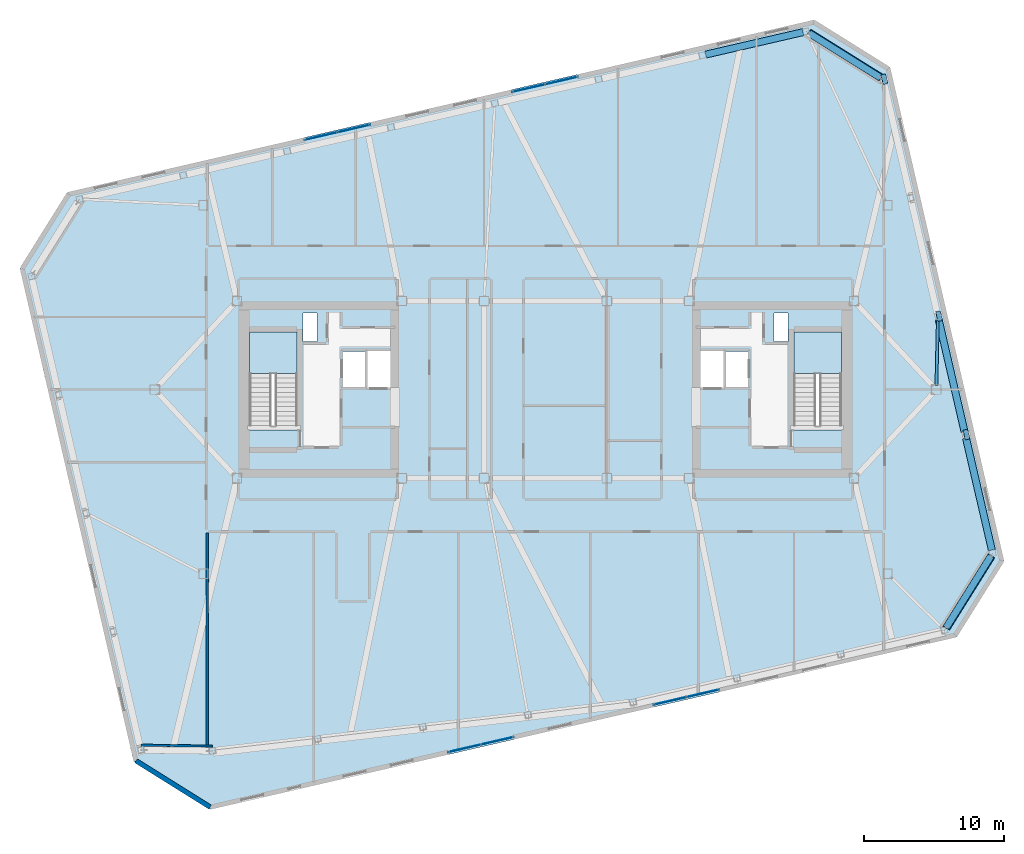
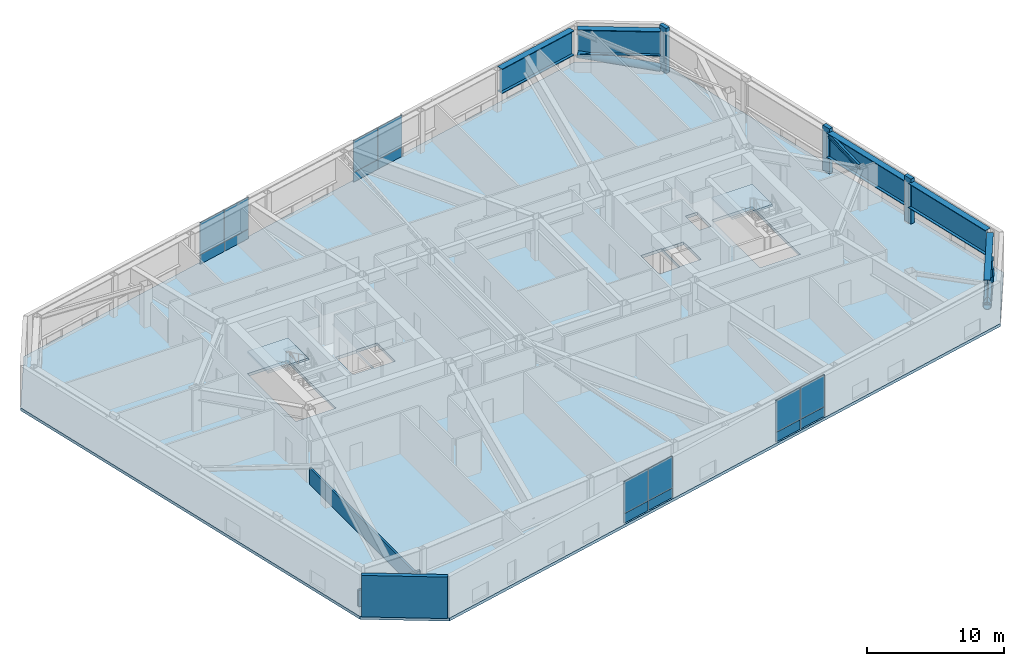
# One storey, part 15 of 23: 16 plates, 6 beams, 5 members, 3 slabs, 3 walls, 6 elements without a shape of their own.
"""IFC4 building model written with IfcOpenShell, lengths in metres."""

from ifc_helpers import new_model, si_unit, direction, frame, frame_2d, origin, origin_2d, place, context, subcontext, project, spatial, polyline, rectangle, hollow_circle, i_section, outline, extrude, material, layer, layer_set, material_profile, profile_set, type_object, element, aggregate, save


model = new_model("IFC4")

# Units and contexts
model_context = context("Model", 3, precision=1e-05, world=origin(), true_north=direction((0.0, 1.0)))
body_context = subcontext(model_context, "Body", "Model", "MODEL_VIEW")
ifc_project = project(units=[si_unit("LENGTHUNIT", "METRE"), si_unit("AREAUNIT", "SQUARE_METRE"), si_unit("VOLUMEUNIT", "CUBIC_METRE"), si_unit("PLANEANGLEUNIT", "RADIAN"), si_unit("MASSUNIT", "GRAM", prefix="KILO")], contexts=[model_context])

# Site, building, storey
site_placement = place(None, origin())
site = spatial("IfcSite", under=ifc_project, at=site_placement, CompositionType="ELEMENT")
building_placement = place(site_placement, origin())
building = spatial("IfcBuilding", under=site, at=building_placement, Name="Tavrogorsk Clinical Tower", CompositionType="ELEMENT")
storey_placement = place(building_placement, frame((0.0, 0.0, 329.0)))
storey = spatial("IfcBuildingStorey", under=building, at=storey_placement, Name="L77", CompositionType="ELEMENT", Elevation=329.0)

# Members
ifc_material_1 = material(Name="Structural steel S440", Category="steel")
ifc_material_profile_1 = material_profile(ifc_material_1, hollow_circle(Radius=0.304931640625, WallThickness=0.02490234375, at=origin_2d()), Name="CHS-610x25")
ifc_profile_set_1 = profile_set([ifc_material_profile_1], Name="Structural steel S440")
member_type_1 = type_object("IfcMemberType", Name="ExoBrace_CHS610", PredefinedType="BRACE", material=ifc_profile_set_1)
for number, where, z_axis, x_axis, name in (
    (1, (31.914306640625, -11.9228515625, 0.33984375), (-0.522114674455, -0.835526698637, 0.17114731252), (0.848039134155, -0.529933606164, 0.0), "L77 Corner Exoskeleton Brace S8-E1"),
    (2, (24.00390625, 22.340576171875, 0.33984375), (-0.835526698637, 0.522114674455, 0.17114731252), (-0.529933606164, -0.848039134155, 0.0), "L77 Corner Exoskeleton Brace E5-N1"),
):
    element("IfcMember", number, at=place(storey_placement, frame(where, z_axis=z_axis, x_axis=x_axis)), inside=storey, type_object=member_type_1, Name=name, PredefinedType="BRACE", context=body_context, shape_type="SweptSolid", body=[
        extrude(hollow_circle(Radius=0.304931640625, WallThickness=0.02490234375, at=origin_2d()), origin(), (0.0, 0.0, 1.0), 6.13671875),
    ])

# Beam
ifc_material_2 = material(Name="Structural steel S355", Category="steel")
ifc_material_profile_2 = material_profile(ifc_material_2, i_section(OverallWidth=0.199951171875, OverallDepth=0.39990234375, WebThickness=0.010498046875, FlangeThickness=0.01611328125, at=origin_2d()), Name="B-400x200x10.5x16")
ifc_profile_set_2 = profile_set([ifc_material_profile_2], Name="Structural steel S355")
beam_type_1 = type_object("IfcBeamType", Name="FloorBeam_B400", PredefinedType="BEAM", material=ifc_profile_set_2)
beam_1_placement = place(storey_placement, frame((28.0068359375, 0.309814453125, 3.47998046875), z_axis=(0.022370062613, 0.999749758839, 0.0), x_axis=(-0.999749758839, 0.022370062613, 0.0)))
element("IfcBeam", 3, at=beam_1_placement, inside=storey, type_object=beam_type_1, Name="L77 Radial Floor Beam E3", PredefinedType="BEAM", context=body_context, shape_type="SweptSolid", body=[
    extrude(i_section(OverallWidth=0.199951171875, OverallDepth=0.39990234375, WebThickness=0.010498046875, FlangeThickness=0.01611328125, at=origin_2d()), origin(), (0.0, 0.0, 1.0), 4.703857421875),
])

# Members
ifc_material_3 = material(Name="Precast concrete B45 with limestone cladding", Category="masonry")
ifc_material_profile_3 = material_profile(ifc_material_3, rectangle(XDim=0.320068359375, YDim=0.719970703125, at=origin_2d()), Name="LIMESTONE-FIN-320x720")
ifc_profile_set_3 = profile_set([ifc_material_profile_3], Name="Precast concrete B45 with limestone cladding")
member_type_2 = type_object("IfcMemberType", Name="LimestonePleatFin_320x720", PredefinedType="USERDEFINED", material=ifc_profile_set_3)
for number, where, z_axis, x_axis, name in (
    (4, (30.154541015625, -3.223388671875, 0.0), (0.0, 0.0, 1.0), (0.974370064785, 0.224951054344, 0.0), "L77 E Pleated Stone Fin 1"),
    (5, (28.1953125, 5.263427734375, 0.0), (0.0, 0.0, 1.0), (0.974370064785, 0.224951054344, 0.0), "L77 E Pleated Stone Fin 2"),
    (6, (24.276611328125, 22.237060546875, 0.0), (0.0, 0.0, 1.0), (0.974370064785, 0.224951054344, 0.0), "L77 E Pleated Stone Fin 4"),
):
    element("IfcMember", number, at=place(storey_placement, frame(where, z_axis=z_axis, x_axis=x_axis)), inside=storey, type_object=member_type_2, Name=name, ObjectType="FIN", PredefinedType="USERDEFINED", context=body_context, shape_type="SweptSolid", body=[
        extrude(rectangle(XDim=0.320068359375, YDim=0.719970703125, at=origin_2d()), origin(), (0.0, 0.0, 1.0), 4.0),
    ])

# Beams
ifc_material_4 = material(Name="Structural steel S440", Category="steel")
ifc_material_profile_4 = material_profile(ifc_material_4, i_section(OverallWidth=0.5, OverallDepth=2.199951171875, WebThickness=0.035888671875, FlangeThickness=0.054931640625, at=origin_2d()), Name="DK-2200x500x36x55")
ifc_profile_set_4 = profile_set([ifc_material_profile_4], Name="Structural steel S440")
beam_type_2 = type_object("IfcBeamType", Name="TransferGirder_DK2200", PredefinedType="USERDEFINED", material=ifc_profile_set_4)
beam_2_placement = place(storey_placement, frame((28.712158203125, -17.04736328125, 2.580078125), z_axis=(0.529904457892, 0.848057348006, 0.0), x_axis=(-0.848057348006, 0.529904457892, 0.0)))
element("IfcBeam", 7, at=beam_2_placement, inside=storey, type_object=beam_type_2, Name="L77 Perimeter Spandrel S8-E1", ObjectType="GIRDER", PredefinedType="USERDEFINED", context=body_context, shape_type="SweptSolid", body=[
    extrude(i_section(OverallWidth=0.5, OverallDepth=2.199951171875, WebThickness=0.035888671875, FlangeThickness=0.054931640625, at=origin_2d()), origin(), (0.0, 0.0, 1.0), 6.039306640625),
])
for number, where, z_axis, x_axis, name in (
    (8, (31.9833984375, -11.5009765625, 2.580078125), (-0.224950345141, 0.974370228517, 0.0), (-0.974370228517, -0.224950345141, 0.0), "L77 Perimeter Spandrel E1-E2"),
    (9, (30.024169921875, -3.01416015625, 2.580078125), (-0.224950345141, 0.974370228517, 0.0), (-0.974370228517, -0.224950345141, 0.0), "L77 Perimeter Spandrel E2-E3"),
):
    element("IfcBeam", number, at=place(storey_placement, frame(where, z_axis=z_axis, x_axis=x_axis)), inside=storey, type_object=beam_type_2, Name=name, ObjectType="GIRDER", PredefinedType="USERDEFINED", context=body_context, shape_type="SweptSolid", body=[
        extrude(i_section(OverallWidth=0.5, OverallDepth=2.199951171875, WebThickness=0.035888671875, FlangeThickness=0.054931640625, at=origin_2d()), origin(), (0.0, 0.0, 1.0), 8.243896484375),
    ])
beam_3_placement = place(storey_placement, frame((24.0009765625, 22.342529296875, 2.580078125), z_axis=(-0.848057348006, 0.529904457892, 0.0), x_axis=(-0.529904457892, -0.848057348006, 0.0)))
element("IfcBeam", 10, at=beam_3_placement, inside=storey, type_object=beam_type_2, Name="L77 Perimeter Spandrel E5-N1", ObjectType="GIRDER", PredefinedType="USERDEFINED", context=body_context, shape_type="SweptSolid", body=[
    extrude(i_section(OverallWidth=0.5, OverallDepth=2.199951171875, WebThickness=0.035888671875, FlangeThickness=0.054931640625, at=origin_2d()), origin(), (0.0, 0.0, 1.0), 6.039306640625),
])
beam_4_placement = place(storey_placement, frame((18.45458984375, 25.61376953125, 2.580078125), z_axis=(-0.974375120167, -0.224929155956, 0.0), x_axis=(0.224929155956, -0.974375120167, 0.0)))
element("IfcBeam", 11, at=beam_4_placement, inside=storey, type_object=beam_type_2, Name="L77 Perimeter Spandrel N1-N2", ObjectType="GIRDER", PredefinedType="USERDEFINED", context=body_context, shape_type="SweptSolid", body=[
    extrude(i_section(OverallWidth=0.5, OverallDepth=2.199951171875, WebThickness=0.035888671875, FlangeThickness=0.054931640625, at=origin_2d()), origin(), (0.0, 0.0, 1.0), 7.16796875),
])

# Curtain wall, plates
ifc_material_5 = material(Name="Anodised aluminium and triple IGU glazing", Category="aluminium")
ifc_layer_1 = layer(ifc_material_5, 0.179931640625)
ifc_layer_set_1 = layer_set([ifc_layer_1], Name="Anodised aluminium and triple IGU glazing")
curtain_wall_type_1 = type_object("IfcCurtainWallType", Name="CW3_SouthSlot", PredefinedType="NOTDEFINED", material=ifc_layer_set_1)
curtain_wall_1_placement = place(storey_placement, origin())
curtain_wall_1 = element("IfcCurtainWall", 12, at=curtain_wall_1_placement, inside=storey, type_object=curtain_wall_type_1, Name="L77 Curtain Wall CW-L77-S-SLOT-1", PredefinedType="NOTDEFINED")
ifc_material_6 = material(Name="Honed Podolsk limestone spandrel panel", Category="masonry")
ifc_layer_2 = layer(ifc_material_6, 0.080078125)
ifc_layer_set_2 = layer_set([ifc_layer_2], Name="Honed Podolsk limestone spandrel panel")
plate_type_1 = type_object("IfcPlateType", Name="CwSpandrelStonePanel_80", PredefinedType="CURTAIN_PANEL", material=ifc_layer_set_2)
plate_1_placement = place(storey_placement, frame((-5.810546875, -25.7099609375, 0.001953125), z_axis=(0.0, 0.0, 1.0), x_axis=(0.974370057377, 0.224951086434, 0.0)))
plate_1 = element("IfcPlate", 13, at=plate_1_placement, type_object=plate_type_1, Name="CW-L77-S-SLOT-1 Stone Spandrel Panel 1", PredefinedType="CURTAIN_PANEL", context=body_context, shape_type="SweptSolid", body=[
    extrude(rectangle(XDim=2.39208984375, YDim=0.080078125, at=origin_2d()), origin(), (0.0, 0.0, 1.0), 0.8359375),
])
plate_2_placement = place(storey_placement, frame((-3.45654296875, -25.16650390625, 0.001953125), z_axis=(0.0, 0.0, 1.0), x_axis=(0.974370057377, 0.224951086434, 0.0)))
plate_2 = element("IfcPlate", 14, at=plate_2_placement, type_object=plate_type_1, Name="CW-L77-S-SLOT-1 Stone Spandrel Panel 2", PredefinedType="CURTAIN_PANEL", context=body_context, shape_type="SweptSolid", body=[
    extrude(rectangle(XDim=2.39208984375, YDim=0.080078125, at=origin_2d()), origin(), (0.0, 0.0, 1.0), 0.8359375),
])

curtain_wall_2_placement = place(storey_placement, origin())
curtain_wall_2 = element("IfcCurtainWall", 15, at=curtain_wall_2_placement, inside=storey, type_object=curtain_wall_type_1, Name="L77 Curtain Wall CW-L77-S-SLOT-2", PredefinedType="NOTDEFINED")
plate_3_placement = place(storey_placement, frame((8.9296875, -22.306884765625, 0.001953125), z_axis=(0.0, 0.0, 1.0), x_axis=(0.974370057377, 0.224951086434, 0.0)))
plate_3 = element("IfcPlate", 16, at=plate_3_placement, type_object=plate_type_1, Name="CW-L77-S-SLOT-2 Stone Spandrel Panel 1", PredefinedType="CURTAIN_PANEL", context=body_context, shape_type="SweptSolid", body=[
    extrude(rectangle(XDim=2.39208984375, YDim=0.080078125, at=origin_2d()), origin(), (0.0, 0.0, 1.0), 0.8359375),
])
plate_4_placement = place(storey_placement, frame((11.28369140625, -21.763427734375, 0.001953125), z_axis=(0.0, 0.0, 1.0), x_axis=(0.974370057377, 0.224951086434, 0.0)))
plate_4 = element("IfcPlate", 17, at=plate_4_placement, type_object=plate_type_1, Name="CW-L77-S-SLOT-2 Stone Spandrel Panel 2", PredefinedType="CURTAIN_PANEL", context=body_context, shape_type="SweptSolid", body=[
    extrude(rectangle(XDim=2.39208984375, YDim=0.080078125, at=origin_2d()), origin(), (0.0, 0.0, 1.0), 0.8359375),
])

ifc_material_7 = material(Name="Anodised aluminium and triple IGU glazing", Category="aluminium")
ifc_layer_3 = layer(ifc_material_7, 0.179931640625)
ifc_layer_set_3 = layer_set([ifc_layer_3], Name="Anodised aluminium and triple IGU glazing")
curtain_wall_type_2 = type_object("IfcCurtainWallType", Name="CW2_NorthSlot", PredefinedType="NOTDEFINED", material=ifc_layer_set_3)
curtain_wall_3_placement = place(storey_placement, origin())
curtain_wall_3 = element("IfcCurtainWall", 18, at=curtain_wall_3_placement, inside=storey, type_object=curtain_wall_type_2, Name="L77 Curtain Wall CW-L77-N-SLOT-1", PredefinedType="NOTDEFINED")
plate_5_placement = place(storey_placement, frame((-13.729736328125, 18.70703125, 0.001953125), z_axis=(0.0, 0.0, 1.0), x_axis=(-0.974370057377, -0.224951086434, 0.0)))
plate_5 = element("IfcPlate", 19, at=plate_5_placement, type_object=plate_type_1, Name="CW-L77-N-SLOT-1 Stone Spandrel Panel 1", PredefinedType="CURTAIN_PANEL", context=body_context, shape_type="SweptSolid", body=[
    extrude(rectangle(XDim=2.39208984375, YDim=0.080078125, at=origin_2d()), origin(), (0.0, 0.0, 1.0), 0.8359375),
])
plate_6_placement = place(storey_placement, frame((-16.083740234375, 18.16357421875, 0.001953125), z_axis=(0.0, 0.0, 1.0), x_axis=(-0.974370057377, -0.224951086434, 0.0)))
plate_6 = element("IfcPlate", 20, at=plate_6_placement, type_object=plate_type_1, Name="CW-L77-N-SLOT-1 Stone Spandrel Panel 2", PredefinedType="CURTAIN_PANEL", context=body_context, shape_type="SweptSolid", body=[
    extrude(rectangle(XDim=2.39208984375, YDim=0.080078125, at=origin_2d()), origin(), (0.0, 0.0, 1.0), 0.8359375),
])

curtain_wall_4_placement = place(storey_placement, origin())
curtain_wall_4 = element("IfcCurtainWall", 21, at=curtain_wall_4_placement, inside=storey, type_object=curtain_wall_type_2, Name="L77 Curtain Wall CW-L77-N-SLOT-2", PredefinedType="NOTDEFINED")
plate_7_placement = place(storey_placement, frame((1.1474609375, 22.1416015625, 0.001953125), z_axis=(0.0, 0.0, 1.0), x_axis=(-0.974370092441, -0.224950934554, 0.0)))
plate_7 = element("IfcPlate", 22, at=plate_7_placement, type_object=plate_type_1, Name="CW-L77-N-SLOT-2 Stone Spandrel Panel 1", PredefinedType="CURTAIN_PANEL", context=body_context, shape_type="SweptSolid", body=[
    extrude(rectangle(XDim=2.39208984375, YDim=0.080078125, at=origin_2d()), origin(), (0.0, 0.0, 1.0), 0.8359375),
])
plate_8_placement = place(storey_placement, frame((-1.20654296875, 21.59814453125, 0.001953125), z_axis=(0.0, 0.0, 1.0), x_axis=(-0.974370092441, -0.224950934554, 0.0)))
plate_8 = element("IfcPlate", 23, at=plate_8_placement, type_object=plate_type_1, Name="CW-L77-N-SLOT-2 Stone Spandrel Panel 2", PredefinedType="CURTAIN_PANEL", context=body_context, shape_type="SweptSolid", body=[
    extrude(rectangle(XDim=2.39208984375, YDim=0.080078125, at=origin_2d()), origin(), (0.0, 0.0, 1.0), 0.8359375),
])

# Plate
ifc_material_8 = material(Name="Triple low-E argon insulated glass", Category="glass")
ifc_layer_4 = layer(ifc_material_8, 0.048095703125)
ifc_layer_set_4 = layer_set([ifc_layer_4], Name="Triple low-E argon insulated glass")
plate_type_2 = type_object("IfcPlateType", Name="CwVisionGlassPanel_48", PredefinedType="CURTAIN_PANEL", material=ifc_layer_set_4)
plate_9_placement = place(storey_placement, frame((-5.810546875, -25.7099609375, 0.862060546875), z_axis=(0.0, 0.0, 1.0), x_axis=(0.974370057377, 0.224951086434, 0.0)))
plate_9 = element("IfcPlate", 24, at=plate_9_placement, type_object=plate_type_2, Name="CW-L77-S-SLOT-1 Glazing Panel 1", PredefinedType="CURTAIN_PANEL", context=body_context, shape_type="SweptSolid", body=[
    extrude(rectangle(XDim=2.39208984375, YDim=0.048095703125, at=origin_2d()), origin(), (0.0, 0.0, 1.0), 2.81591796875),
])

plate_10_placement = place(storey_placement, frame((-3.45654296875, -25.16650390625, 0.862060546875), z_axis=(0.0, 0.0, 1.0), x_axis=(0.974370057377, 0.224951086434, 0.0)))
plate_10 = element("IfcPlate", 25, at=plate_10_placement, type_object=plate_type_2, Name="CW-L77-S-SLOT-1 Glazing Panel 2", PredefinedType="CURTAIN_PANEL", context=body_context, shape_type="SweptSolid", body=[
    extrude(rectangle(XDim=2.39208984375, YDim=0.048095703125, at=origin_2d()), origin(), (0.0, 0.0, 1.0), 2.81591796875),
])

aggregate(curtain_wall_1, [plate_1, plate_9, plate_2, plate_10])

plate_11_placement = place(storey_placement, frame((8.9296875, -22.306884765625, 0.862060546875), z_axis=(0.0, 0.0, 1.0), x_axis=(0.974370057377, 0.224951086434, 0.0)))
plate_11 = element("IfcPlate", 26, at=plate_11_placement, type_object=plate_type_2, Name="CW-L77-S-SLOT-2 Glazing Panel 1", PredefinedType="CURTAIN_PANEL", context=body_context, shape_type="SweptSolid", body=[
    extrude(rectangle(XDim=2.39208984375, YDim=0.048095703125, at=origin_2d()), origin(), (0.0, 0.0, 1.0), 2.81591796875),
])

plate_12_placement = place(storey_placement, frame((11.28369140625, -21.763427734375, 0.862060546875), z_axis=(0.0, 0.0, 1.0), x_axis=(0.974370057377, 0.224951086434, 0.0)))
plate_12 = element("IfcPlate", 27, at=plate_12_placement, type_object=plate_type_2, Name="CW-L77-S-SLOT-2 Glazing Panel 2", PredefinedType="CURTAIN_PANEL", context=body_context, shape_type="SweptSolid", body=[
    extrude(rectangle(XDim=2.39208984375, YDim=0.048095703125, at=origin_2d()), origin(), (0.0, 0.0, 1.0), 2.81591796875),
])

aggregate(curtain_wall_2, [plate_3, plate_11, plate_4, plate_12])

plate_13_placement = place(storey_placement, frame((-13.729736328125, 18.70703125, 0.862060546875), z_axis=(0.0, 0.0, 1.0), x_axis=(-0.974370057377, -0.224951086434, 0.0)))
plate_13 = element("IfcPlate", 28, at=plate_13_placement, type_object=plate_type_2, Name="CW-L77-N-SLOT-1 Glazing Panel 1", PredefinedType="CURTAIN_PANEL", context=body_context, shape_type="SweptSolid", body=[
    extrude(rectangle(XDim=2.39208984375, YDim=0.048095703125, at=origin_2d()), origin(), (0.0, 0.0, 1.0), 2.81591796875),
])

plate_14_placement = place(storey_placement, frame((-16.083740234375, 18.16357421875, 0.862060546875), z_axis=(0.0, 0.0, 1.0), x_axis=(-0.974370057377, -0.224951086434, 0.0)))
plate_14 = element("IfcPlate", 29, at=plate_14_placement, type_object=plate_type_2, Name="CW-L77-N-SLOT-1 Glazing Panel 2", PredefinedType="CURTAIN_PANEL", context=body_context, shape_type="SweptSolid", body=[
    extrude(rectangle(XDim=2.39208984375, YDim=0.048095703125, at=origin_2d()), origin(), (0.0, 0.0, 1.0), 2.81591796875),
])

aggregate(curtain_wall_3, [plate_5, plate_13, plate_6, plate_14])

plate_15_placement = place(storey_placement, frame((1.1474609375, 22.1416015625, 0.862060546875), z_axis=(0.0, 0.0, 1.0), x_axis=(-0.974370092441, -0.224950934554, 0.0)))
plate_15 = element("IfcPlate", 30, at=plate_15_placement, type_object=plate_type_2, Name="CW-L77-N-SLOT-2 Glazing Panel 1", PredefinedType="CURTAIN_PANEL", context=body_context, shape_type="SweptSolid", body=[
    extrude(rectangle(XDim=2.39208984375, YDim=0.048095703125, at=origin_2d()), origin(), (0.0, 0.0, 1.0), 2.81591796875),
])

plate_16_placement = place(storey_placement, frame((-1.20654296875, 21.59814453125, 0.862060546875), z_axis=(0.0, 0.0, 1.0), x_axis=(-0.974370092441, -0.224950934554, 0.0)))
plate_16 = element("IfcPlate", 31, at=plate_16_placement, type_object=plate_type_2, Name="CW-L77-N-SLOT-2 Glazing Panel 2", PredefinedType="CURTAIN_PANEL", context=body_context, shape_type="SweptSolid", body=[
    extrude(rectangle(XDim=2.39208984375, YDim=0.048095703125, at=origin_2d()), origin(), (0.0, 0.0, 1.0), 2.81591796875),
])

aggregate(curtain_wall_4, [plate_7, plate_15, plate_8, plate_16])

# Stair, slab
ifc_material_9 = material(Name="Concrete B60", Category="concrete")
stair_type = type_object("IfcStairType", Name="CoreStairAssembly", PredefinedType="HALF_TURN_STAIR", material=ifc_material_9)
stair_1_placement = place(storey_placement, origin())
stair_1 = element("IfcStair", 32, at=stair_1_placement, inside=storey, type_object=stair_type, Name="L77 ST-W", PredefinedType="HALF_TURN_STAIR")
ifc_material_10 = material(Name="Concrete B60", Category="concrete")
ifc_layer_5 = layer(ifc_material_10, 0.199951171875)
ifc_layer_set_5 = layer_set([ifc_layer_5], Name="Concrete B60")
slab_type_1 = type_object("IfcSlabType", Name="StairLanding_200", PredefinedType="LANDING", material=ifc_layer_set_5)
slab_1_placement = place(storey_placement, frame((0.0, 0.0, 1.800048828125)))
slab_1 = element("IfcSlab", 33, at=slab_1_placement, type_object=slab_type_1, Name="ST-W landing 1", PredefinedType="LANDING", context=body_context, shape_type="SweptSolid", body=[
    extrude(outline(polyline([(-17.800048828125, 1.1650390625), (-17.800048828125, 4.125), (-21.199951171875, 4.125), (-21.199951171875, 1.1650390625), (-17.800048828125, 1.1650390625)])), origin(), (0.0, 0.0, 1.0), 0.199951171875),
])
aggregate(stair_1, [slab_1])

stair_2_placement = place(storey_placement, origin())
stair_2 = element("IfcStair", 34, at=stair_2_placement, inside=storey, type_object=stair_type, Name="L77 ST-E", PredefinedType="HALF_TURN_STAIR")
slab_2_placement = place(storey_placement, frame((0.0, 0.0, 1.800048828125)))
slab_2 = element("IfcSlab", 35, at=slab_2_placement, type_object=slab_type_1, Name="ST-E landing 1", PredefinedType="LANDING", context=body_context, shape_type="SweptSolid", body=[
    extrude(outline(polyline([(21.199951171875, 1.1650390625), (21.199951171875, 4.125), (17.800048828125, 4.125), (17.800048828125, 1.1650390625), (21.199951171875, 1.1650390625)])), origin(), (0.0, 0.0, 1.0), 0.199951171875),
])
aggregate(stair_2, [slab_2])

# Slab
ifc_material_11 = material(Name="Concrete B60", Category="concrete")
ifc_layer_6 = layer(ifc_material_11, 0.260009765625)
ifc_layer_set_6 = layer_set([ifc_layer_6], Name="Concrete B60")
slab_type_2 = type_object("IfcSlabType", Name="WardSlab_260", PredefinedType="FLOOR", material=ifc_layer_set_6)
slab_3_placement = place(storey_placement, frame((0.0, 0.0, -0.260009765625)))
element("IfcSlab", 36, at=slab_3_placement, inside=storey, type_object=slab_type_2, Name="L77 Structural Slab", PredefinedType="FLOOR", context=body_context, shape_type="SweptSolid", body=[
    extrude(outline(polyline([(-23.991455078125, -30.081787109375), (29.404052734375, -17.75439453125), (32.8515625, -12.23779296875), (24.708251953125, 23.034423828125), (19.19140625, 26.48193359375), (-34.2041015625, 14.154541015625), (-37.651611328125, 8.6376953125), (-29.50830078125, -26.634521484375), (-23.991455078125, -30.081787109375)]), holes=[polyline([(-17.800048828125, -2.8798828125), (-17.800048828125, 4.125), (-21.199951171875, 4.125), (-21.199951171875, -2.8798828125), (-17.800048828125, -2.8798828125)]), polyline([(21.199951171875, -2.8798828125), (21.199951171875, 4.125), (17.800048828125, 4.125), (17.800048828125, -2.8798828125), (21.199951171875, -2.8798828125)]), polyline([(-14.6201171875, 0.169921875), (-12.860107421875, 0.169921875), (-12.860107421875, 2.72998046875), (-14.6201171875, 2.72998046875), (-14.6201171875, 0.169921875)]), polyline([(-12.840087890625, 0.1201171875), (-11.080078125, 0.1201171875), (-11.080078125, 2.780029296875), (-12.840087890625, 2.780029296875), (-12.840087890625, 0.1201171875)]), polyline([(12.860107421875, 0.169921875), (14.6201171875, 0.169921875), (14.6201171875, 2.72998046875), (12.860107421875, 2.72998046875), (12.860107421875, 0.169921875)]), polyline([(11.080078125, 0.1201171875), (12.840087890625, 0.1201171875), (12.840087890625, 2.780029296875), (11.080078125, 2.780029296875), (11.080078125, 0.1201171875)]), polyline([(-17.3798828125, 3.449951171875), (-16.3798828125, 3.449951171875), (-16.3798828125, 5.5), (-17.3798828125, 5.5), (-17.3798828125, 3.449951171875)]), polyline([(16.3798828125, 3.449951171875), (17.3798828125, 3.449951171875), (17.3798828125, 5.5), (16.3798828125, 5.5), (16.3798828125, 3.449951171875)])]), origin(), (0.0, 0.0, 1.0), 0.260009765625),
])

# Walls
ifc_material_12 = material(Name="Lightweight concrete blockwork B15", Category="masonry")
ifc_layer_7 = layer(ifc_material_12, 0.159912109375)
ifc_layer_set_7 = layer_set([ifc_layer_7], Name="Lightweight concrete blockwork B15")
wall_type_1 = type_object("IfcWallType", Name="PartitionWall_160", PredefinedType="PARTITIONING", material=ifc_layer_set_7)
wall_1_placement = place(storey_placement, frame((-28.994140625, -25.47900390625, 0.0), z_axis=(0.0, 0.0, 1.0), x_axis=(0.999915052546, -0.01303409726, 0.0)))
element("IfcWall", 37, at=wall_1_placement, inside=storey, type_object=wall_type_1, Name="L77 Corner Exoskeleton Brace Furring Wall 4", PredefinedType="PARTITIONING", context=body_context, shape_type="SweptSolid", body=[
    extrude(rectangle(XDim=5.13232421875, YDim=0.159912109375, at=frame_2d((2.566162109375, 0.0))), origin(), (0.0, 0.0, 1.0), 1.47509765625),
])
wall_2_placement = place(storey_placement, frame((-24.22998046875, -25.535888671875, 0.0), z_axis=(0.0, 0.0, 1.0), x_axis=(0.0, 1.0, 0.0)))
element("IfcWall", 38, at=wall_2_placement, inside=storey, type_object=wall_type_1, Name="L77 SW Wing Closure Partition", PredefinedType="PARTITIONING", context=body_context, shape_type="SweptSolid", body=[
    extrude(rectangle(XDim=15.27099609375, YDim=0.159912109375, at=frame_2d((7.635498046875, 0.0))), origin(), (0.0, 0.0, 1.0), 1.47509765625),
])
ifc_material_13 = material(Name="Precast concrete B45 with limestone cladding", Category="masonry")
ifc_layer_8 = layer(ifc_material_13, 0.340087890625)
ifc_layer_set_8 = layer_set([ifc_layer_8], Name="Precast concrete B45 with limestone cladding")
wall_type_2 = type_object("IfcWallType", Name="PrecastLimestoneWall_340", PredefinedType="STANDARD", material=ifc_layer_set_8)
wall_3_placement = place(storey_placement, frame((-29.342529296875, -26.59619140625, 0.0), z_axis=(0.0, 0.0, 1.0), x_axis=(0.848037708252, -0.529935887993, 0.0)))
element("IfcWall", 39, at=wall_3_placement, inside=storey, type_object=wall_type_2, Name="L77 Chamfered Corner Wall 4", PredefinedType="STANDARD", context=body_context, shape_type="SweptSolid", body=[
    extrude(rectangle(XDim=6.26513671875, YDim=0.340087890625, at=frame_2d((3.132568359375, 0.0))), origin(), (0.0, 0.0, 1.0), 3.679931640625),
])

save(model, "model.ifc")
